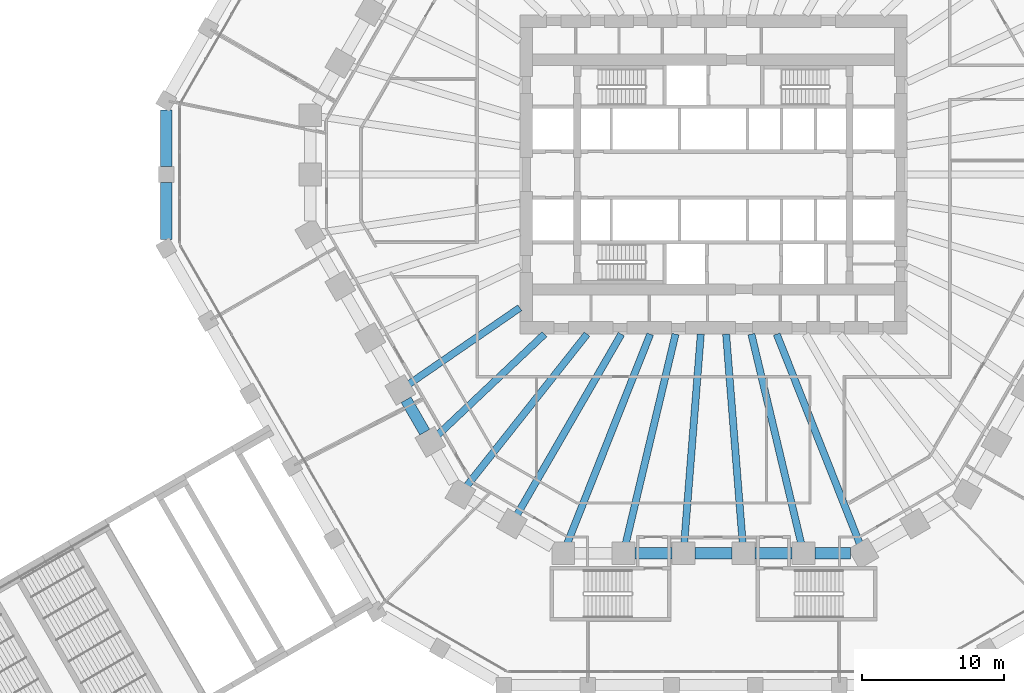
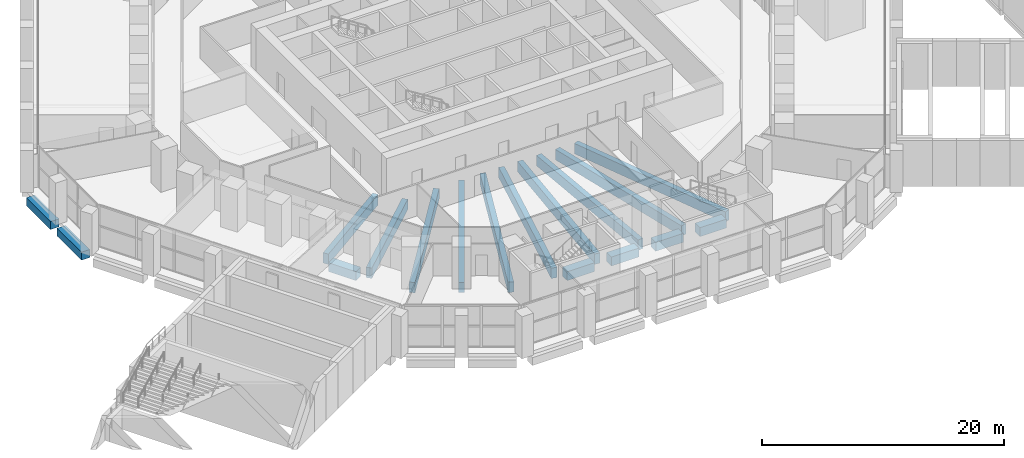
# One storey, part 4 of 38: 17 beams.
"""IFC4 building model written with IfcOpenShell, lengths in metres."""

from ifc_helpers import new_model, si_unit, direction, frame, origin, origin_2d, place, context, subcontext, project, spatial, rectangle, extrude, material, material_profile, profile_set, type_object, element, save


model = new_model("IFC4")

# Units and contexts
model_context = context("Model", 3, precision=1e-05, world=origin(), true_north=direction((0.0, 1.0)))
body_context = subcontext(model_context, "Body", "Model", "MODEL_VIEW")
ifc_project = project(units=[si_unit("LENGTHUNIT", "METRE"), si_unit("AREAUNIT", "SQUARE_METRE"), si_unit("VOLUMEUNIT", "CUBIC_METRE"), si_unit("PLANEANGLEUNIT", "RADIAN"), si_unit("MASSUNIT", "GRAM", prefix="KILO")], contexts=[model_context])

# Site, building, storey
site_placement = place(None, origin())
site = spatial("IfcSite", under=ifc_project, at=site_placement, CompositionType="ELEMENT")
building_placement = place(site_placement, origin())
building = spatial("IfcBuilding", under=site, at=building_placement, Name="Frailejon Research Tower", CompositionType="ELEMENT")
storey_placement = place(building_placement, frame((0.0, 0.0, 5.60009765625)))
storey = spatial("IfcBuildingStorey", under=building, at=storey_placement, Name="L01", CompositionType="ELEMENT", Elevation=5.60009765625)

# Beams
ifc_material_1 = material(Name="Concrete C60/75", Category="concrete")
ifc_material_profile_1 = material_profile(ifc_material_1, rectangle(XDim=0.800048828125, YDim=0.800048828125, at=origin_2d()), Name="Base ring beam")
ifc_profile_set_1 = profile_set([ifc_material_profile_1], Name="Concrete C60/75")
beam_type_1 = type_object("IfcBeamType", Name="Base ring beam", PredefinedType="BEAM", material=ifc_profile_set_1)
for number, where, z_axis, x_axis, name in (
    (1, (-38.569091796875, 4.56103515625, -0.75), (0.0, -1.0, 0.0), (1.0, 0.0, 0.0), "Base ring beam"),
    (2, (-38.569091796875, -0.550048828125, -0.75), (0.0, -1.0, 0.0), (1.0, 0.0, 0.0), "Base ring beam"),
):
    element("IfcBeam", number, at=place(storey_placement, frame(where, z_axis=z_axis, x_axis=x_axis)), inside=storey, type_object=beam_type_1, Name=name, PredefinedType="BEAM", context=body_context, shape_type="SweptSolid", body=[
        extrude(rectangle(XDim=0.800048828125, YDim=0.800048828125, at=origin_2d()), origin(), (0.0, 0.0, 1.0), 4.010986328125),
    ])
ifc_material_2 = material(Name="Concrete C60/75", Category="concrete")
ifc_material_profile_2 = material_profile(ifc_material_2, rectangle(XDim=0.5, YDim=1.050048828125, at=origin_2d()), Name="Girder 500x1050")
ifc_profile_set_2 = profile_set([ifc_material_profile_2], Name="Concrete C60/75")
beam_type_2 = type_object("IfcBeamType", Name="Girder 500x1050", PredefinedType="BEAM", material=ifc_profile_set_2)
beam_1_placement = place(storey_placement, frame((-21.52734375, -14.8125, -0.875), z_axis=(0.823825821578, 0.566843025626, 0.0), x_axis=(-0.566843025626, 0.823825821578, 0.0)))
element("IfcBeam", 3, at=beam_1_placement, inside=storey, type_object=beam_type_2, Name="Girder 500x1050", PredefinedType="BEAM", context=body_context, shape_type="SweptSolid", body=[
    extrude(rectangle(XDim=0.5, YDim=1.050048828125, at=origin_2d()), origin(), (0.0, 0.0, 1.0), 9.56201171875),
])
beam_2_placement = place(storey_placement, frame((-19.460205078125, -18.3857421875, -0.875), z_axis=(0.72688803019, 0.686755991285, 0.0), x_axis=(-0.686755991285, 0.72688803019, 0.0)))
element("IfcBeam", 4, at=beam_2_placement, inside=storey, type_object=beam_type_2, Name="Girder 500x1050", PredefinedType="BEAM", context=body_context, shape_type="SweptSolid", body=[
    extrude(rectangle(XDim=0.5, YDim=1.050048828125, at=origin_2d()), origin(), (0.0, 0.0, 1.0), 10.390625),
])
beam_3_placement = place(storey_placement, frame((-17.423828125, -21.99609375, -0.875), z_axis=(0.62092187156, 0.783872457367, 0.0), x_axis=(-0.783872457367, 0.62092187156, 0.0)))
element("IfcBeam", 5, at=beam_3_placement, inside=storey, type_object=beam_type_2, Name="Girder 500x1050", PredefinedType="BEAM", context=body_context, shape_type="SweptSolid", body=[
    extrude(rectangle(XDim=0.5, YDim=1.050048828125, at=origin_2d()), origin(), (0.0, 0.0, 1.0), 13.708984375),
])
beam_4_placement = place(storey_placement, frame((-13.88134765625, -24.043212890625, -0.875), z_axis=(0.500003328639, 0.866023481986, 0.0), x_axis=(-0.866023481986, 0.500003328639, 0.0)))
element("IfcBeam", 6, at=beam_4_placement, inside=storey, type_object=beam_type_2, Name="Girder 500x1050", PredefinedType="BEAM", context=body_context, shape_type="SweptSolid", body=[
    extrude(rectangle(XDim=0.5, YDim=1.050048828125, at=origin_2d()), origin(), (0.0, 0.0, 1.0), 14.7724609375),
])
beam_5_placement = place(storey_placement, frame((-10.318115234375, -26.03955078125, -0.875), z_axis=(0.368382887996, 0.929674162183, 0.0), x_axis=(-0.929674162183, 0.368382887996, 0.0)))
element("IfcBeam", 7, at=beam_5_placement, inside=storey, type_object=beam_type_2, Name="Girder 500x1050", PredefinedType="BEAM", context=body_context, shape_type="SweptSolid", body=[
    extrude(rectangle(XDim=0.5, YDim=1.050048828125, at=origin_2d()), origin(), (0.0, 0.0, 1.0), 15.908203125),
])
beam_6_placement = place(storey_placement, frame((-6.1923828125, -26.0458984375, -0.875), z_axis=(0.23129352639, 0.972884013976, 0.0), x_axis=(-0.972884013976, 0.23129352639, 0.0)))
element("IfcBeam", 8, at=beam_6_placement, inside=storey, type_object=beam_type_2, Name="Girder 500x1050", PredefinedType="BEAM", context=body_context, shape_type="SweptSolid", body=[
    extrude(rectangle(XDim=0.5, YDim=1.050048828125, at=origin_2d()), origin(), (0.0, 0.0, 1.0), 15.208251953125),
])
for number, where, z_axis, x_axis, name in (
    (9, (-2.064453125, -26.049560546875, -0.875), (0.079001387797, 0.996874506007, 0.0), (-0.996874506007, 0.079001387797, 0.0), "Girder 500x1050"),
    (10, (2.064453125, -26.049560546875, -0.875), (-0.079001387797, 0.996874506007, 0.0), (-0.996874506007, -0.079001387797, 0.0), "Girder 500x1050"),
):
    element("IfcBeam", number, at=place(storey_placement, frame(where, z_axis=z_axis, x_axis=x_axis)), inside=storey, type_object=beam_type_2, Name=name, PredefinedType="BEAM", context=body_context, shape_type="SweptSolid", body=[
        extrude(rectangle(XDim=0.5, YDim=1.050048828125, at=origin_2d()), origin(), (0.0, 0.0, 1.0), 14.845947265625),
    ])
beam_7_placement = place(storey_placement, frame((6.1923828125, -26.0458984375, -0.875), z_axis=(-0.23129352639, 0.972884013976, 0.0), x_axis=(-0.972884013976, -0.23129352639, 0.0)))
element("IfcBeam", 11, at=beam_7_placement, inside=storey, type_object=beam_type_2, Name="Girder 500x1050", PredefinedType="BEAM", context=body_context, shape_type="SweptSolid", body=[
    extrude(rectangle(XDim=0.5, YDim=1.050048828125, at=origin_2d()), origin(), (0.0, 0.0, 1.0), 15.208251953125),
])
beam_8_placement = place(storey_placement, frame((10.33740234375, -26.087646484375, -0.875), z_axis=(-0.368395300595, 0.929669243602, 0.0), x_axis=(-0.929669243602, -0.368395300595, 0.0)))
element("IfcBeam", 12, at=beam_8_placement, inside=storey, type_object=beam_type_2, Name="Girder 500x1050", PredefinedType="BEAM", context=body_context, shape_type="SweptSolid", body=[
    extrude(rectangle(XDim=0.5, YDim=1.050048828125, at=origin_2d()), origin(), (0.0, 0.0, 1.0), 15.960205078125),
])
ifc_material_3 = material(Name="Concrete C60/75", Category="concrete")
ifc_material_profile_3 = material_profile(ifc_material_3, rectangle(XDim=0.800048828125, YDim=0.89990234375, at=origin_2d()), Name="Podium ring beam")
ifc_profile_set_3 = profile_set([ifc_material_profile_3], Name="Concrete C60/75")
beam_type_3 = type_object("IfcBeamType", Name="Podium ring beam", PredefinedType="BEAM", material=ifc_profile_set_3)
beam_9_placement = place(storey_placement, frame((-21.664794921875, -15.875244140625, -0.800048828125), z_axis=(0.499949948743, -0.866054298963, 0.0), x_axis=(0.866054298963, 0.499949948743, 0.0)))
element("IfcBeam", 13, at=beam_9_placement, inside=storey, type_object=beam_type_3, Name="Podium ring beam", PredefinedType="BEAM", context=body_context, shape_type="SweptSolid", body=[
    extrude(rectangle(XDim=0.800048828125, YDim=0.89990234375, at=origin_2d()), origin(), (0.0, 0.0, 1.0), 2.632080078125),
])
for number, where, z_axis, x_axis, name in (
    (14, (-5.5478515625, -26.699951171875, -0.800048828125), (1.0, 0.0, 0.0), (0.0, 1.0, 0.0), "Podium ring beam"),
    (15, (-1.31591796875, -26.699951171875, -0.800048828125), (1.0, 0.0, 0.0), (0.0, 1.0, 0.0), "Podium ring beam"),
    (16, (2.916015625, -26.699951171875, -0.800048828125), (1.0, 0.0, 0.0), (0.0, 1.0, 0.0), "Podium ring beam"),
):
    element("IfcBeam", number, at=place(storey_placement, frame(where, z_axis=z_axis, x_axis=x_axis)), inside=storey, type_object=beam_type_3, Name=name, PredefinedType="BEAM", context=body_context, shape_type="SweptSolid", body=[
        extrude(rectangle(XDim=0.800048828125, YDim=0.89990234375, at=origin_2d()), origin(), (0.0, 0.0, 1.0), 2.6318359375),
    ])
beam_10_placement = place(storey_placement, frame((7.14794921875, -26.699951171875, -0.800048828125), z_axis=(1.0, 0.0, 0.0), x_axis=(0.0, 1.0, 0.0)))
element("IfcBeam", 17, at=beam_10_placement, inside=storey, type_object=beam_type_3, Name="Podium ring beam", PredefinedType="BEAM", context=body_context, shape_type="SweptSolid", body=[
    extrude(rectangle(XDim=0.800048828125, YDim=0.89990234375, at=origin_2d()), origin(), (0.0, 0.0, 1.0), 2.508056640625),
])

save(model, "model.ifc")
